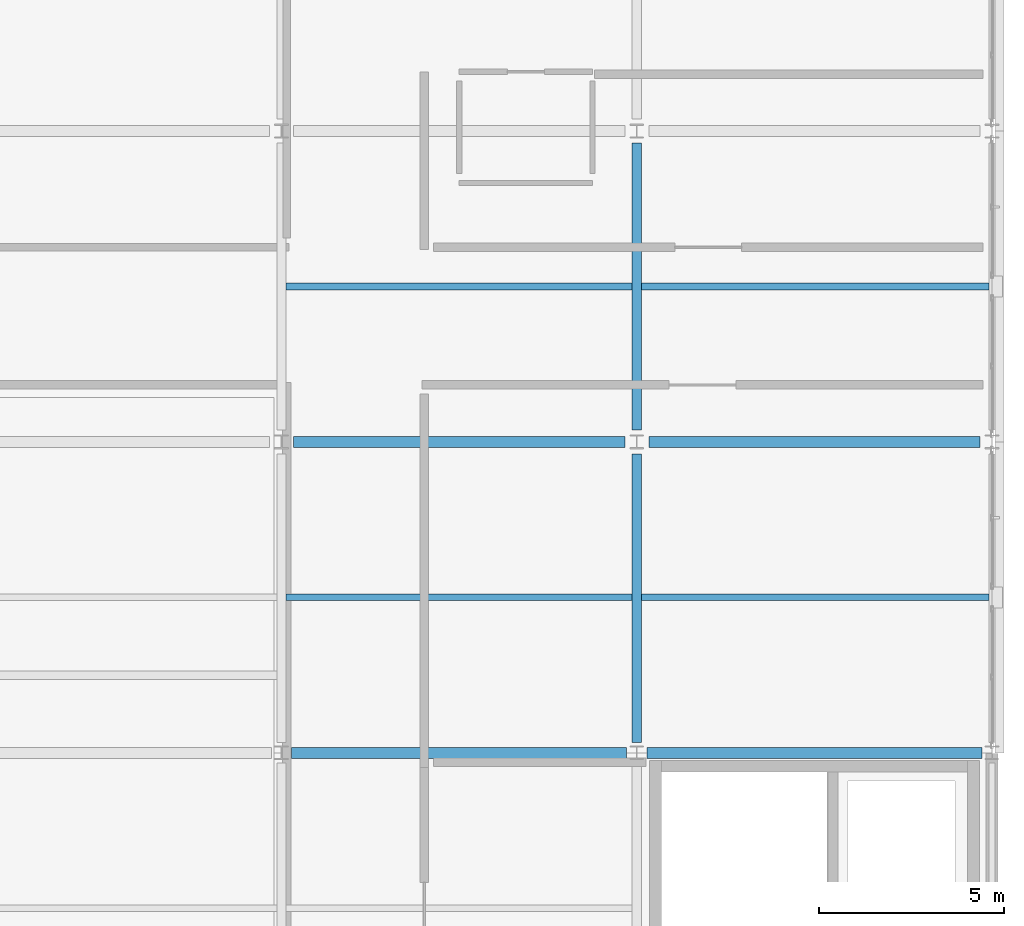
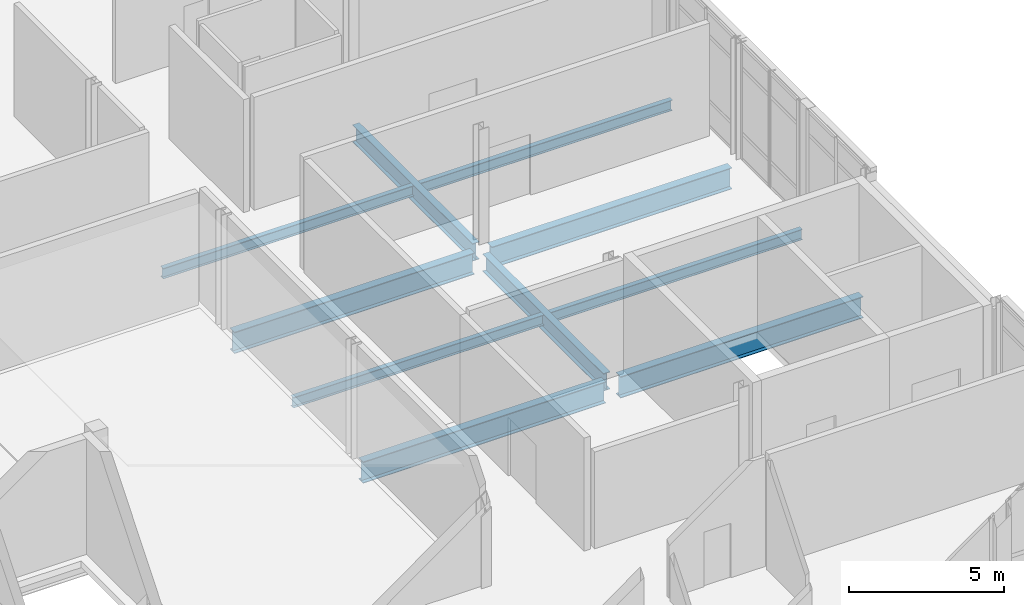
# One storey, part 25 of 52: 10 beams.
"""IFC4 building model written with IfcOpenShell, lengths in metres."""

from ifc_helpers import new_model, si_unit, direction, frame, origin, origin_2d, place, context, subcontext, project, spatial, i_section, extrude, material, material_profile, profile_set, type_object, element, save


model = new_model("IFC4")

# Units and contexts
model_context = context("Model", 3, precision=1e-05, world=origin(), true_north=direction((0.0, 1.0)))
body_context = subcontext(model_context, "Body", "Model", "MODEL_VIEW")
ifc_project = project(units=[si_unit("LENGTHUNIT", "METRE"), si_unit("AREAUNIT", "SQUARE_METRE"), si_unit("VOLUMEUNIT", "CUBIC_METRE"), si_unit("PLANEANGLEUNIT", "RADIAN"), si_unit("MASSUNIT", "GRAM", prefix="KILO")], contexts=[model_context])

# Site, building, storey
site_placement = place(None, origin())
site = spatial("IfcSite", under=ifc_project, at=site_placement, CompositionType="ELEMENT")
building_placement = place(site_placement, origin())
building = spatial("IfcBuilding", under=site, at=building_placement, Name="Lornevale Opera House", CompositionType="ELEMENT")
storey_placement = place(building_placement, frame((0.0, 0.0, 15.0)))
storey = spatial("IfcBuildingStorey", under=building, at=storey_placement, Name="L04", CompositionType="ELEMENT", Elevation=15.0)

# Beams
ifc_material = material(Name="Structural Steel CSA G40.21 Grade 350W (350 MPa)", Category="steel")
ifc_material_profile_1 = material_profile(ifc_material, i_section(OverallWidth=0.299072265625, OverallDepth=0.845947265625, WebThickness=0.015380859375, FlangeThickness=0.0244140625, at=origin_2d()), Name="W840x210")
ifc_profile_set_1 = profile_set([ifc_material_profile_1], Name="Structural Steel CSA G40.21 Grade 350W (350 MPa)")
beam_type_1 = type_object("IfcBeamType", Name="Steel Clear-Span Girder W840x210", PredefinedType="USERDEFINED", material=ifc_profile_set_1)
for number, where, z_axis, x_axis, name in (
    (1, (125.074951171875, 42.0, -0.697998046875), (1.0, 0.0, 0.0), (0.0, 1.0, 0.0), "Steel Clear-Span Girder W840x210 2499"),
    (2, (134.675048828125, 42.0, -0.697998046875), (1.0, 0.0, 0.0), (0.0, 1.0, 0.0), "Steel Clear-Span Girder W840x210 2500"),
):
    element("IfcBeam", number, at=place(storey_placement, frame(where, z_axis=z_axis, x_axis=x_axis)), inside=storey, type_object=beam_type_1, Name=name, ObjectType="GIRDER", PredefinedType="USERDEFINED", context=body_context, shape_type="SweptSolid", body=[
        extrude(i_section(OverallWidth=0.299072265625, OverallDepth=0.845947265625, WebThickness=0.015380859375, FlangeThickness=0.0244140625, at=origin_2d()), origin(), (0.0, 0.0, 1.0), 9.050048828125),
    ])
for number, where, z_axis, x_axis, name in (
    (3, (125.125, 50.39990234375, -0.697998046875), (1.0, 0.0, 0.0), (0.0, 1.0, 0.0), "Steel Clear-Span Girder W840x210 2507"),
    (4, (134.72509765625, 50.39990234375, -0.697998046875), (1.0, 0.0, 0.0), (0.0, 1.0, 0.0), "Steel Clear-Span Girder W840x210 2508"),
):
    element("IfcBeam", number, at=place(storey_placement, frame(where, z_axis=z_axis, x_axis=x_axis)), inside=storey, type_object=beam_type_1, Name=name, ObjectType="GIRDER", PredefinedType="USERDEFINED", context=body_context, shape_type="SweptSolid", body=[
        extrude(i_section(OverallWidth=0.299072265625, OverallDepth=0.845947265625, WebThickness=0.015380859375, FlangeThickness=0.0244140625, at=origin_2d()), origin(), (0.0, 0.0, 1.0), 8.949951171875),
    ])
ifc_material_profile_2 = material_profile(ifc_material, i_section(OverallWidth=0.179931640625, OverallDepth=0.4130859375, WebThickness=0.009765625, FlangeThickness=0.01611328125, at=origin_2d()), Name="W410x74")
ifc_profile_set_2 = profile_set([ifc_material_profile_2], Name="Structural Steel CSA G40.21 Grade 350W (350 MPa)")
beam_type_2 = type_object("IfcBeamType", Name="Steel Floor Joist W410x74", PredefinedType="JOIST", material=ifc_profile_set_2)
for number, where, z_axis, x_axis, name in (
    (5, (124.927001953125, 46.199951171875, -0.4814453125), (1.0, 0.0, 0.0), (0.0, 1.0, 0.0), "Steel Floor Joist W410x74 2703"),
    (6, (124.927001953125, 54.60009765625, -0.4814453125), (1.0, 0.0, 0.0), (0.0, 1.0, 0.0), "Steel Floor Joist W410x74 2704"),
):
    element("IfcBeam", number, at=place(storey_placement, frame(where, z_axis=z_axis, x_axis=x_axis)), inside=storey, type_object=beam_type_2, Name=name, PredefinedType="JOIST", context=body_context, shape_type="SweptSolid", body=[
        extrude(i_section(OverallWidth=0.179931640625, OverallDepth=0.4130859375, WebThickness=0.009765625, FlangeThickness=0.01611328125, at=origin_2d()), origin(), (0.0, 0.0, 1.0), 9.345947265625),
    ])
for number, where, z_axis, x_axis, name in (
    (7, (134.527099609375, 46.199951171875, -0.4814453125), (1.0, 0.0, 0.0), (0.0, 1.0, 0.0), "Steel Floor Joist W410x74 2709"),
    (8, (134.527099609375, 54.60009765625, -0.4814453125), (1.0, 0.0, 0.0), (0.0, 1.0, 0.0), "Steel Floor Joist W410x74 2710"),
):
    element("IfcBeam", number, at=place(storey_placement, frame(where, z_axis=z_axis, x_axis=x_axis)), inside=storey, type_object=beam_type_2, Name=name, PredefinedType="JOIST", context=body_context, shape_type="SweptSolid", body=[
        extrude(i_section(OverallWidth=0.179931640625, OverallDepth=0.4130859375, WebThickness=0.009765625, FlangeThickness=0.01611328125, at=origin_2d()), origin(), (0.0, 0.0, 1.0), 9.389404296875),
    ])
ifc_material_profile_3 = material_profile(ifc_material, i_section(OverallWidth=0.25390625, OverallDepth=0.68798828125, WebThickness=0.01318359375, FlangeThickness=0.02099609375, at=origin_2d()), Name="W690x152")
ifc_profile_set_3 = profile_set([ifc_material_profile_3], Name="Structural Steel CSA G40.21 Grade 350W (350 MPa)")
beam_type_3 = type_object("IfcBeamType", Name="Steel Foyer Beam W690x152", PredefinedType="USERDEFINED", material=ifc_profile_set_3)
beam_1_placement = place(storey_placement, frame((134.39990234375, 42.27490234375, -0.618896484375), z_axis=(0.0, 1.0, 0.0), x_axis=(-1.0, 0.0, 0.0)))
element("IfcBeam", 9, at=beam_1_placement, inside=storey, type_object=beam_type_3, Name="Steel Foyer Beam W690x152 2642", ObjectType="GIRDER", PredefinedType="USERDEFINED", context=body_context, shape_type="SweptSolid", body=[
    extrude(i_section(OverallWidth=0.25390625, OverallDepth=0.68798828125, WebThickness=0.01318359375, FlangeThickness=0.02099609375, at=origin_2d()), origin(), (0.0, 0.0, 1.0), 7.800048828125),
])
beam_2_placement = place(storey_placement, frame((134.39990234375, 50.72509765625, -0.618896484375), z_axis=(0.0, 1.0, 0.0), x_axis=(-1.0, 0.0, 0.0)))
element("IfcBeam", 10, at=beam_2_placement, inside=storey, type_object=beam_type_3, Name="Steel Foyer Beam W690x152 2643", ObjectType="GIRDER", PredefinedType="USERDEFINED", context=body_context, shape_type="SweptSolid", body=[
    extrude(i_section(OverallWidth=0.25390625, OverallDepth=0.68798828125, WebThickness=0.01318359375, FlangeThickness=0.02099609375, at=origin_2d()), origin(), (0.0, 0.0, 1.0), 7.75),
])

save(model, "model.ifc")
